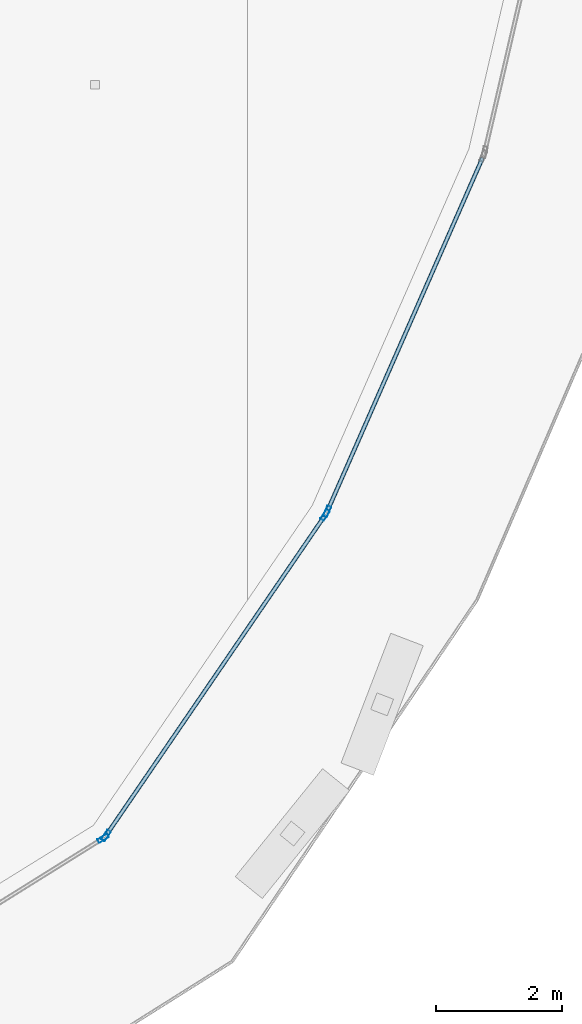
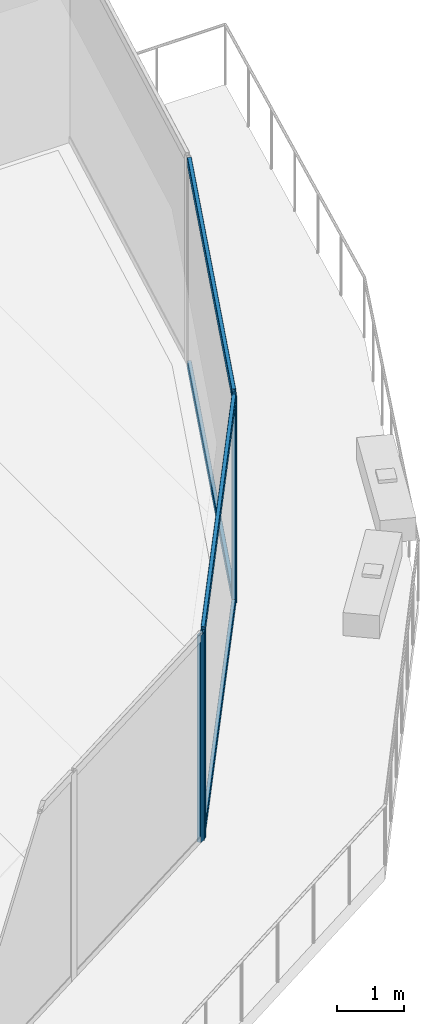
# One storey, part 12 of 39: 8 members, 3 elements without a shape of their own.
"""IFC4 building model written with IfcOpenShell, lengths in metres."""

from ifc_helpers import new_model, si_unit, direction, frame, origin, origin_2d, place, context, subcontext, project, spatial, hollow_rectangle, extrude, material, layer, layer_set, material_profile, profile_set, type_object, element, aggregate, save


model = new_model("IFC4")

# Units and contexts
model_context = context("Model", 3, precision=1e-05, world=origin(), true_north=direction((0.0, 1.0)))
body_context = subcontext(model_context, "Body", "Model", "MODEL_VIEW")
ifc_project = project(units=[si_unit("LENGTHUNIT", "METRE"), si_unit("AREAUNIT", "SQUARE_METRE"), si_unit("VOLUMEUNIT", "CUBIC_METRE"), si_unit("PLANEANGLEUNIT", "RADIAN"), si_unit("MASSUNIT", "GRAM", prefix="KILO")], contexts=[model_context])

# Site, building, storey
site_placement = place(None, origin())
site = spatial("IfcSite", under=ifc_project, at=site_placement, CompositionType="ELEMENT")
building_placement = place(site_placement, origin())
building = spatial("IfcBuilding", under=site, at=building_placement, Name="Qorvath Tower", CompositionType="ELEMENT")
storey_placement = place(building_placement, frame((0.0, 0.0, 201.0)))
storey = spatial("IfcBuildingStorey", under=building, at=storey_placement, Name="L46", CompositionType="ELEMENT", Elevation=201.0)

# Curtain wall, member
ifc_material_1 = material(Name="Anodised aluminium and triple low-E glass", Category="aluminium")
ifc_layer = layer(ifc_material_1, 0.179931640625)
ifc_layer_set = layer_set([ifc_layer], Name="CW-SYS-3")
curtain_wall_type = type_object("IfcCurtainWallType", Name="CW-SYS-3", PredefinedType="NOTDEFINED", material=ifc_layer_set)
curtain_wall_1_placement = place(storey_placement, origin())
curtain_wall_1 = element("IfcCurtainWall", 1, at=curtain_wall_1_placement, inside=storey, type_object=curtain_wall_type, Name="Curtain Wall CW-3 CW-T-L46-4.1", PredefinedType="NOTDEFINED")
ifc_material_2 = material(Name="Anodised aluminium 6063-T6", Category="aluminium")
ifc_material_profile_1 = material_profile(ifc_material_2, hollow_rectangle(XDim=0.06494140625, YDim=0.179931640625, WallThickness=0.00341796875, InnerFilletRadius=0.00341796875, OuterFilletRadius=0.007080078125, at=origin_2d()), Name="CWM 180x65")
ifc_profile_set_1 = profile_set([ifc_material_profile_1], Name="Anodised aluminium 6063-T6")
member_type_1 = type_object("IfcMemberType", Name="CWM-180", PredefinedType="MULLION", material=ifc_profile_set_1)
member_1_placement = place(storey_placement, frame((-5.7587890625, -21.410888671875, 0.0), z_axis=(0.0, 0.0, 1.0), x_axis=(-0.529206179006, 0.848493264618, 0.0)))
member_1 = element("IfcMember", 2, at=member_1_placement, type_object=member_type_1, Name="CW-3 mullion 3", PredefinedType="MULLION", context=body_context, shape_type="SweptSolid", body=[
    extrude(hollow_rectangle(XDim=0.06494140625, YDim=0.179931640625, WallThickness=0.00341796875, InnerFilletRadius=0.00341796875, OuterFilletRadius=0.007080078125, at=origin_2d()), origin(), (0.0, 0.0, 1.0), 3.780029296875),
])
aggregate(curtain_wall_1, [member_1])

# Curtain wall, members
curtain_wall_2_placement = place(storey_placement, origin())
curtain_wall_2 = element("IfcCurtainWall", 3, at=curtain_wall_2_placement, inside=storey, type_object=curtain_wall_type, Name="Curtain Wall CW-3 CW-T-L46-5.1", PredefinedType="NOTDEFINED")
member_2_placement = place(storey_placement, frame((-5.712890625, -21.366943359375, 0.0), z_axis=(0.0, 0.0, 1.0), x_axis=(-0.825424850974, 0.56451201528, 0.0)))
member_2 = element("IfcMember", 4, at=member_2_placement, type_object=member_type_1, Name="CW-3 mullion 1", PredefinedType="MULLION", context=body_context, shape_type="SweptSolid", body=[
    extrude(hollow_rectangle(XDim=0.06494140625, YDim=0.179931640625, WallThickness=0.00341796875, InnerFilletRadius=0.00341796875, OuterFilletRadius=0.007080078125, at=origin_2d()), origin(), (0.0, 0.0, 1.0), 3.780029296875),
])
member_3_placement = place(storey_placement, frame((-2.240966796875, -16.29052734375, 0.0), z_axis=(0.0, 0.0, 1.0), x_axis=(-0.825424850974, 0.56451201528, 0.0)))
member_3 = element("IfcMember", 5, at=member_3_placement, type_object=member_type_1, Name="CW-3 mullion 2", PredefinedType="MULLION", context=body_context, shape_type="SweptSolid", body=[
    extrude(hollow_rectangle(XDim=0.06494140625, YDim=0.179931640625, WallThickness=0.00341796875, InnerFilletRadius=0.00341796875, OuterFilletRadius=0.007080078125, at=origin_2d()), origin(), (0.0, 0.0, 1.0), 3.780029296875),
])

# Curtain wall, member
curtain_wall_3_placement = place(storey_placement, origin())
curtain_wall_3 = element("IfcCurtainWall", 6, at=curtain_wall_3_placement, inside=storey, type_object=curtain_wall_type, Name="Curtain Wall CW-3 CW-T-L46-6.1", PredefinedType="NOTDEFINED")
member_4_placement = place(storey_placement, frame((-2.209716796875, -16.23388671875, 0.0), z_axis=(0.0, 0.0, 1.0), x_axis=(-0.915498802884, 0.402320695364, 0.0)))
member_4 = element("IfcMember", 7, at=member_4_placement, type_object=member_type_1, Name="CW-3 mullion 1", PredefinedType="MULLION", context=body_context, shape_type="SweptSolid", body=[
    extrude(hollow_rectangle(XDim=0.06494140625, YDim=0.179931640625, WallThickness=0.00341796875, InnerFilletRadius=0.00341796875, OuterFilletRadius=0.007080078125, at=origin_2d()), origin(), (0.0, 0.0, 1.0), 3.780029296875),
])

# Member
ifc_material_3 = material(Name="Anodised aluminium 6063-T6", Category="aluminium")
ifc_material_profile_2 = material_profile(ifc_material_3, hollow_rectangle(XDim=0.06494140625, YDim=0.159912109375, WallThickness=0.00341796875, InnerFilletRadius=0.00341796875, OuterFilletRadius=0.007080078125, at=origin_2d()), Name="CWT 160x65")
ifc_profile_set_2 = profile_set([ifc_material_profile_2], Name="Anodised aluminium 6063-T6")
member_type_2 = type_object("IfcMemberType", Name="CWT-160", PredefinedType="USERDEFINED", material=ifc_profile_set_2)
member_5_placement = place(storey_placement, frame((-5.694580078125, -21.340087890625, 0.032470703125), z_axis=(0.564540077657, 0.825405658279, 0.0), x_axis=(-0.825405658279, 0.564540077657, 0.0)))
member_5 = element("IfcMember", 8, at=member_5_placement, type_object=member_type_2, Name="CW-3 transom 1.1", ObjectType="TRANSOM", PredefinedType="USERDEFINED", context=body_context, shape_type="SweptSolid", body=[
    extrude(hollow_rectangle(XDim=0.06494140625, YDim=0.159912109375, WallThickness=0.00341796875, InnerFilletRadius=0.00341796875, OuterFilletRadius=0.007080078125, at=origin_2d()), origin(), (0.0, 0.0, 1.0), 6.085205078125),
])

member_6_placement = place(storey_placement, frame((-5.694580078125, -21.340087890625, 3.74755859375), z_axis=(0.564540077657, 0.825405658279, 0.0), x_axis=(-0.825405658279, 0.564540077657, 0.0)))
member_6 = element("IfcMember", 9, at=member_6_placement, type_object=member_type_2, Name="CW-3 transom 1.2", ObjectType="TRANSOM", PredefinedType="USERDEFINED", context=body_context, shape_type="SweptSolid", body=[
    extrude(hollow_rectangle(XDim=0.06494140625, YDim=0.159912109375, WallThickness=0.00341796875, InnerFilletRadius=0.00341796875, OuterFilletRadius=0.007080078125, at=origin_2d()), origin(), (0.0, 0.0, 1.0), 6.085205078125),
])

aggregate(curtain_wall_2, [member_2, member_3, member_5, member_6])

member_7_placement = place(storey_placement, frame((-2.196533203125, -16.2041015625, 0.032470703125), z_axis=(0.402337899002, 0.915491242463, 0.0), x_axis=(-0.915491242463, 0.402337899002, 0.0)))
member_7 = element("IfcMember", 10, at=member_7_placement, type_object=member_type_2, Name="CW-3 transom 1.1", ObjectType="TRANSOM", PredefinedType="USERDEFINED", context=body_context, shape_type="SweptSolid", body=[
    extrude(hollow_rectangle(XDim=0.06494140625, YDim=0.159912109375, WallThickness=0.00341796875, InnerFilletRadius=0.00341796875, OuterFilletRadius=0.007080078125, at=origin_2d()), origin(), (0.0, 0.0, 1.0), 6.0849609375),
])

member_8_placement = place(storey_placement, frame((-2.196533203125, -16.2041015625, 3.74755859375), z_axis=(0.402337899002, 0.915491242463, 0.0), x_axis=(-0.915491242463, 0.402337899002, 0.0)))
member_8 = element("IfcMember", 11, at=member_8_placement, type_object=member_type_2, Name="CW-3 transom 1.2", ObjectType="TRANSOM", PredefinedType="USERDEFINED", context=body_context, shape_type="SweptSolid", body=[
    extrude(hollow_rectangle(XDim=0.06494140625, YDim=0.159912109375, WallThickness=0.00341796875, InnerFilletRadius=0.00341796875, OuterFilletRadius=0.007080078125, at=origin_2d()), origin(), (0.0, 0.0, 1.0), 6.0849609375),
])

aggregate(curtain_wall_3, [member_4, member_7, member_8])

save(model, "model.ifc")
